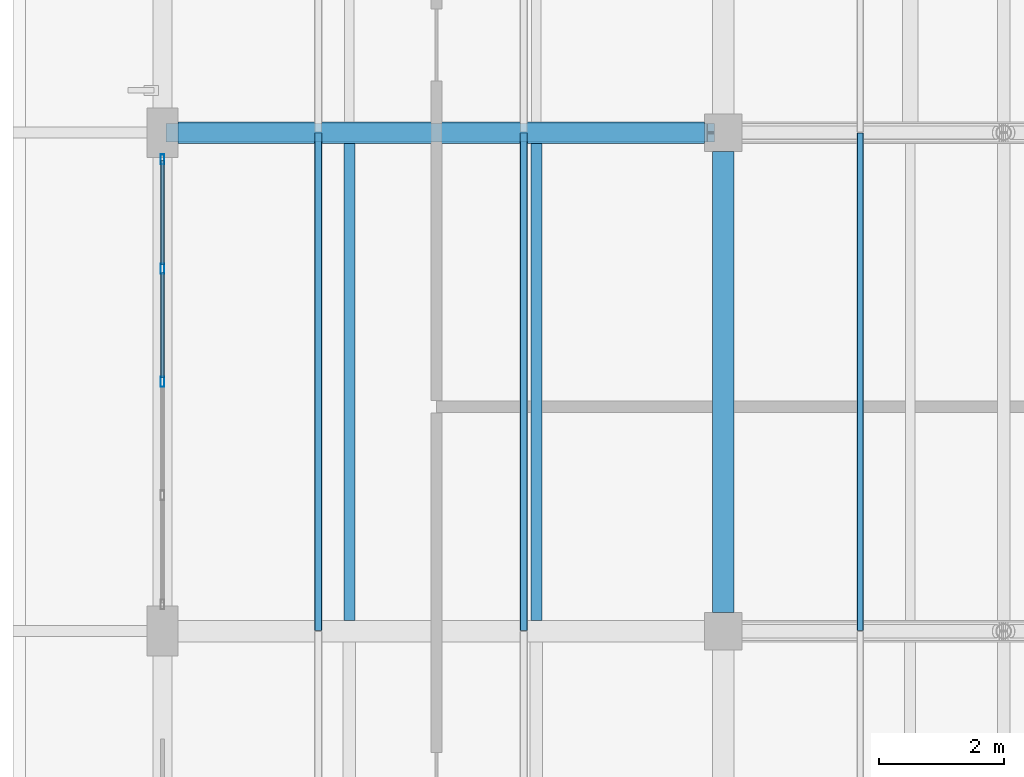
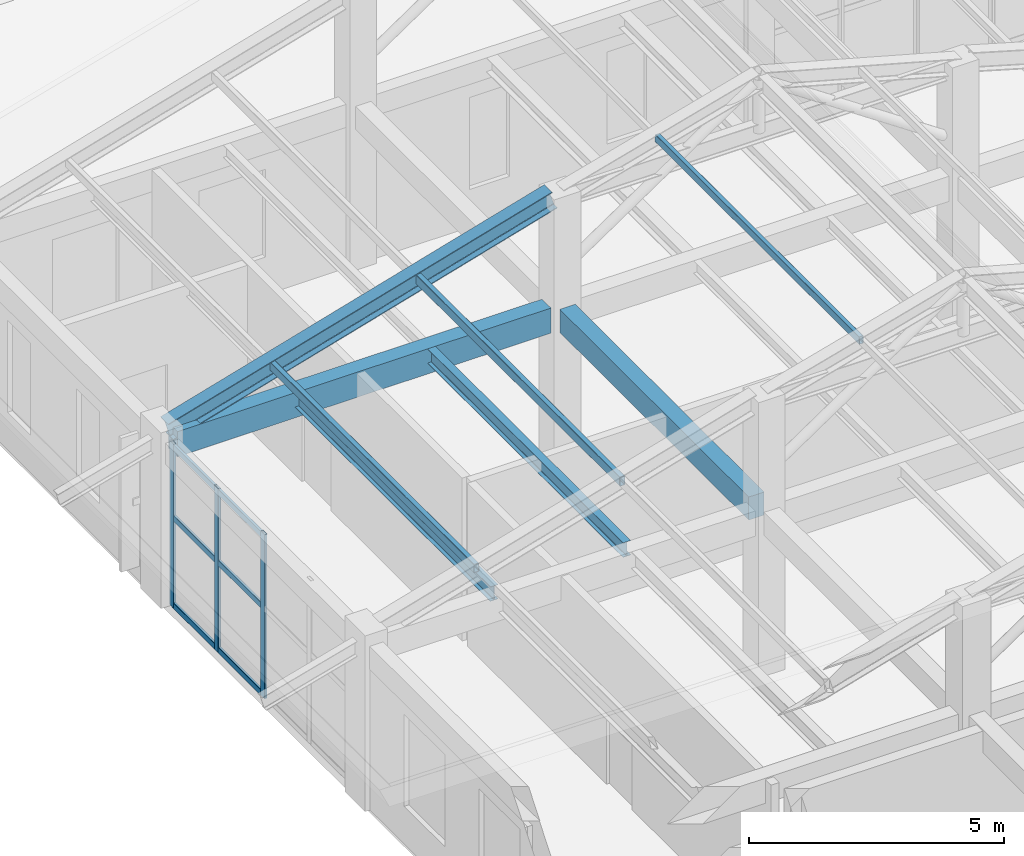
# One storey, part 25 of 58: 12 members, 5 beams, 1 element without a shape of its own.
"""IFC4 building model written with IfcOpenShell, lengths in metres."""

import ifcopenshell
import ifcopenshell.guid

model = None  # the IFC model being written
_history = None  # IfcOwnerHistory: only IFC2X3 demands one
_inside = {}  # id of a spatial element -> (the spatial element, [elements in it])
_under = {}  # id of a project, library or spatial element -> (it, [spatial elements below it])
_declared = {}  # id of a project -> (the project, [libraries it declares])
_typed = {}  # id of a type object -> (the type object, [elements of that type])
_made_of = {}  # id of a material, layer set ... -> (it, [elements and type objects made of it])


def new_model(schema):
    """Start an empty IFC model of exactly this schema.

    Asked for "IFC4X3", IfcOpenShell would pick the latest addendum, in which some entities
    have other attributes; the version numbers below select the first issue.
    IFC2X3 requires an IfcOwnerHistory on every rooted entity: one is made here for all.
    """
    global model, _history
    if schema == "IFC4X3":
        model = ifcopenshell.file(schema_version=(4, 3, 0, 0))
    else:
        model = ifcopenshell.file(schema=schema)
    _inside.clear()
    _under.clear()
    _declared.clear()
    _typed.clear()
    _made_of.clear()
    _history = None
    if model.schema == "IFC2X3":
        org = make("IfcOrganization", Name="unknown")
        user = make(
            "IfcPersonAndOrganization",
            ThePerson=make("IfcPerson", FamilyName="unknown"),
            TheOrganization=org,
        )
        app = make(
            "IfcApplication",
            ApplicationDeveloper=org,
            Version="unknown",
            ApplicationFullName="unknown",
            ApplicationIdentifier="unknown",
        )
        _history = make(
            "IfcOwnerHistory",
            OwningUser=user,
            OwningApplication=app,
            ChangeAction="ADDED",
            CreationDate=0,
        )
    return model


def make(cls, **values):
    """One entity of the class cls with the attributes given. An attribute that is None is left unset."""
    return model.create_entity(
        cls, **{name: value for name, value in values.items() if value is not None}
    )


def rooted(cls, **values):
    """An entity with a GlobalId (a new one), such as an element, a storey or a relation."""
    return make(cls, GlobalId=ifcopenshell.guid.new(), OwnerHistory=_history, **values)


def si_unit(unit_type, name, prefix=None):
    """IfcSIUnit, for example si_unit("LENGTHUNIT", "METRE", prefix="MILLI")."""
    return make("IfcSIUnit", UnitType=unit_type, Prefix=prefix, Name=name)


def derived_unit(unit_type, elements):
    """IfcDerivedUnit: a product of units, each with its exponent."""
    return make(
        "IfcDerivedUnit",
        Elements=[
            make("IfcDerivedUnitElement", Unit=unit, Exponent=power)
            for unit, power in elements
        ],
        UnitType=unit_type,
    )


def assignment(units):
    """IfcUnitAssignment: the units of a project."""
    return None if units is None else make("IfcUnitAssignment", Units=units)


def point(xyz):
    """IfcCartesianPoint."""
    return None if xyz is None else make("IfcCartesianPoint", Coordinates=xyz)


def direction(xyz):
    """IfcDirection."""
    return None if xyz is None else make("IfcDirection", DirectionRatios=xyz)


def frame(location, z_axis=None, x_axis=None):
    """IfcAxis2Placement3D, a coordinate frame: its origin and axes. An axis left out is left unset."""
    return make(
        "IfcAxis2Placement3D",
        Location=point(location),
        Axis=direction(z_axis),
        RefDirection=direction(x_axis),
    )


def frame_2d(location, x_axis=None):
    """IfcAxis2Placement2D, a coordinate frame in the plane: its origin and x axis."""
    return make(
        "IfcAxis2Placement2D", Location=point(location), RefDirection=direction(x_axis)
    )


def origin():
    """The frame at (0, 0, 0) with its axes left unset."""
    return frame((0.0, 0.0, 0.0))


def origin_2d():
    """The frame at (0, 0) in the plane with its x axis left unset."""
    return frame_2d((0.0, 0.0))


def place(relative_to, where):
    """IfcLocalPlacement: puts the frame where relative to a parent placement (None: the world)."""
    return make(
        "IfcLocalPlacement", PlacementRelTo=relative_to, RelativePlacement=where
    )


def context(
    kind, dimensions, precision=None, world=None, true_north=None, identifier=None
):
    """IfcGeometricRepresentationContext, for example the 3D "Model" context."""
    return make(
        "IfcGeometricRepresentationContext",
        ContextIdentifier=identifier,
        ContextType=kind,
        CoordinateSpaceDimension=dimensions,
        Precision=precision,
        WorldCoordinateSystem=world,
        TrueNorth=true_north,
    )


def subcontext(parent, identifier, kind, view, scale=None):
    """IfcGeometricRepresentationSubContext, for example "Body" below "Model"."""
    return make(
        "IfcGeometricRepresentationSubContext",
        ContextIdentifier=identifier,
        ContextType=kind,
        ParentContext=parent,
        TargetScale=scale,
        TargetView=view,
    )


def project(units=None, contexts=None):
    """IfcProject with its units and contexts."""
    return rooted(
        "IfcProject",
        Name="project",
        RepresentationContexts=contexts,
        UnitsInContext=assignment(units),
    )


def spatial(cls, under=None, at=None, **own):
    """A site, building, storey or space (cls), placed at a placement, below another one or the project."""
    s = rooted(cls, ObjectPlacement=at, **own)
    if under is not None:
        _under.setdefault(under.id(), (under, []))[1].append(s)
    return s


def profile(cls, at=None, kind="AREA", **sizes):
    """A parametric profile (cls). Its sizes go by their IFC names, for example OverallWidth=200.0."""
    return make(cls, ProfileType=kind, Position=at, **sizes)


def rectangle(**sizes):
    """IfcRectangleProfileDef."""
    return profile("IfcRectangleProfileDef", **sizes)


def hollow_rectangle(**sizes):
    """IfcRectangleHollowProfileDef."""
    return profile("IfcRectangleHollowProfileDef", **sizes)


def i_section(**sizes):
    """IfcIShapeProfileDef."""
    return profile("IfcIShapeProfileDef", **sizes)


def extrude(swept, where, along, depth):
    """IfcExtrudedAreaSolid: the profile swept, set in the frame where, extruded along a direction by depth."""
    return make(
        "IfcExtrudedAreaSolid",
        SweptArea=swept,
        Position=where,
        ExtrudedDirection=direction(along),
        Depth=depth,
    )


def shape(context_of_items, identifier, shape_type, items):
    """IfcShapeRepresentation: the items that make up one representation, for example the "Body"."""
    return make(
        "IfcShapeRepresentation",
        ContextOfItems=context_of_items,
        RepresentationIdentifier=identifier,
        RepresentationType=shape_type,
        Items=items,
    )


def material(Name=None, Category=None):
    """IfcMaterial."""
    return make("IfcMaterial", Name=Name, Category=Category)


def material_profile(
    of_material, cross_section, Name=None, Category=None, Priority=None
):
    """IfcMaterialProfile: a cross section and its material."""
    return make(
        "IfcMaterialProfile",
        Name=Name,
        Material=of_material,
        Profile=cross_section,
        Priority=Priority,
        Category=Category,
    )


def profile_set(profiles, Name=None, composite=None):
    """IfcMaterialProfileSet."""
    return make(
        "IfcMaterialProfileSet",
        Name=Name,
        MaterialProfiles=profiles,
        CompositeProfile=composite,
    )


def made_of(thing, what):
    """Note that an element or type object is made of a material, layer set ...; save() writes the relation."""
    if what is not None:
        _made_of.setdefault(what.id(), (what, []))[1].append(thing)
    return thing


def type_object(cls, material=None, **own):
    """A type object (cls), such as IfcWallType, which elements share."""
    return made_of(rooted(cls, **own), material)


def element(
    cls,
    number,
    at=None,
    inside=None,
    cuts=None,
    type_object=None,
    material=None,
    context=None,
    identifier="Body",
    shape_type=None,
    held_by="IfcProductDefinitionShape",
    body=None,
    shapes=None,
    **own,
):
    """One element of the class cls, such as IfcWall. Its Tag is "e" and its number.

    at: its placement. inside: the storey or other place that contains it. cuts: it is an
    opening in that element (IfcRelVoidsElement). A single representation is given by context,
    identifier, shape_type and body (its items); several are given by shapes. held_by: the class
    of the entity that holds the representations. save() writes the other relations.
    """
    e = rooted(cls, Tag="e%d" % number, ObjectPlacement=at, **own)
    if body is not None:
        shapes = [shape(context, identifier, shape_type, body)]
    if shapes is not None:
        e.Representation = make(held_by, Representations=shapes)
    if inside is not None:
        _inside.setdefault(inside.id(), (inside, []))[1].append(e)
    if cuts is not None:
        rooted(
            "IfcRelVoidsElement", RelatingBuildingElement=cuts, RelatedOpeningElement=e
        )
    if type_object is not None:
        _typed.setdefault(type_object.id(), (type_object, []))[1].append(e)
    return made_of(e, material)


def aggregate(whole, parts):
    """IfcRelAggregates: a whole, such as a stair, and the parts it consists of."""
    return rooted("IfcRelAggregates", RelatingObject=whole, RelatedObjects=parts)


def save(model, path):
    """Write the relations noted so far, then the file.

    IfcRelAggregates (storeys below a building ...), IfcRelContainedInSpatialStructure (elements
    in a storey), IfcRelDefinesByType, IfcRelAssociatesMaterial and IfcRelDeclares: one each for
    every whole, place, type object, material and project.
    """
    for whole, parts in _under.values():
        aggregate(whole, parts)
    for where, things in _inside.values():
        rooted(
            "IfcRelContainedInSpatialStructure",
            RelatedElements=things,
            RelatingStructure=where,
        )
    for kind, things in _typed.values():
        rooted("IfcRelDefinesByType", RelatedObjects=things, RelatingType=kind)
    for what, things in _made_of.values():
        rooted("IfcRelAssociatesMaterial", RelatedObjects=things, RelatingMaterial=what)
    for by, libraries in _declared.values():
        rooted("IfcRelDeclares", RelatingContext=by, RelatedDefinitions=libraries)
    model.write(path)


model = new_model("IFC4")

# Units and contexts
model_context = context("Model", 3, precision=1e-05, world=origin(), true_north=direction((0.0, 1.0)))
body_context = subcontext(model_context, "Body", "Model", "MODEL_VIEW")
ifc_project = project(units=[si_unit("LENGTHUNIT", "METRE"), si_unit("AREAUNIT", "SQUARE_METRE"), si_unit("VOLUMEUNIT", "CUBIC_METRE"), si_unit("PLANEANGLEUNIT", "RADIAN"), si_unit("MASSUNIT", "GRAM", prefix="KILO"), derived_unit("THERMALTRANSMITTANCEUNIT", [(si_unit("MASSUNIT", "GRAM", prefix="KILO"), 1), (si_unit("TIMEUNIT", "SECOND"), -3), (si_unit("THERMODYNAMICTEMPERATUREUNIT", "KELVIN"), -1)])], contexts=[model_context])

# Site, building, storey
site_placement = place(None, origin())
site = spatial("IfcSite", under=ifc_project, at=site_placement, CompositionType="ELEMENT")
building_placement = place(site_placement, origin())
building = spatial("IfcBuilding", under=site, at=building_placement, Name="Zhenchuan Archway Interchange", CompositionType="ELEMENT")
storey_placement = place(building_placement, frame((0.0, 0.0, 22.800048828125)))
storey = spatial("IfcBuildingStorey", under=building, at=storey_placement, Name="L05", CompositionType="ELEMENT", Elevation=22.800048828125)

# Beams
ifc_material_1 = material(Name="Concrete C40", Category="concrete")
ifc_material_profile_1 = material_profile(ifc_material_1, rectangle(XDim=0.35009765625, YDim=0.550048828125, at=origin_2d()), Name="RC 350x550")
ifc_profile_set_1 = profile_set([ifc_material_profile_1], Name="Concrete C40")
beam_type_1 = type_object("IfcBeamType", Name="BM_RC_350x550", PredefinedType="BEAM", material=ifc_profile_set_1)
beam_1_placement = place(storey_placement, frame((153.0, 72.300048828125, 3.64501953125), z_axis=(0.0, 1.0, 0.0), x_axis=(-1.0, 0.0, 0.0)))
element("IfcBeam", 1, at=beam_1_placement, inside=storey, type_object=beam_type_1, Name="Beam 18:K-L (L05)", PredefinedType="BEAM", context=body_context, shape_type="SweptSolid", body=[
    extrude(rectangle(XDim=0.35009765625, YDim=0.550048828125, at=origin_2d()), origin(), (0.0, 0.0, 1.0), 7.39990234375),
])
ifc_material_profile_2 = material_profile(ifc_material_1, rectangle(XDim=0.35009765625, YDim=0.60009765625, at=origin_2d()), Name="RC 350x600")
ifc_profile_set_2 = profile_set([ifc_material_profile_2], Name="Concrete C40")
beam_type_2 = type_object("IfcBeamType", Name="BM_RC_350x600", PredefinedType="BEAM", material=ifc_profile_set_2)
beam_2_placement = place(storey_placement, frame((144.25, 80.0, 3.619873046875), z_axis=(1.0, 0.0, 0.0), x_axis=(0.0, 1.0, 0.0)))
element("IfcBeam", 2, at=beam_2_placement, inside=storey, type_object=beam_type_2, Name="Beam L:17-18 (L05)", PredefinedType="BEAM", context=body_context, shape_type="SweptSolid", body=[
    extrude(rectangle(XDim=0.35009765625, YDim=0.60009765625, at=origin_2d()), origin(), (0.0, 0.0, 1.0), 8.449951171875),
])
ifc_material_2 = material(Name="Steel Q355", Category="steel")
ifc_material_profile_3 = material_profile(ifc_material_2, i_section(OverallWidth=0.300048828125, OverallDepth=0.43994140625, WebThickness=0.010986328125, FlangeThickness=0.01806640625, FilletRadius=0.02197265625, at=origin_2d()), Name="HM 440x300")
ifc_profile_set_3 = profile_set([ifc_material_profile_3], Name="Steel Q355")
beam_type_3 = type_object("IfcBeamType", Name="BM_STL_HM440", PredefinedType="BEAM", material=ifc_profile_set_3)
beam_3_placement = place(storey_placement, frame((144.1201171875, 80.0, 3.93994140625), z_axis=(0.960641143949, 0.0, 0.277792355102), x_axis=(0.0, 1.0, 0.0)))
element("IfcBeam", 3, at=beam_3_placement, inside=storey, type_object=beam_type_3, Name="ROOF TRUSS command wing T8 west lower rafter", PredefinedType="BEAM", context=body_context, shape_type="SweptSolid", body=[
    extrude(i_section(OverallWidth=0.300048828125, OverallDepth=0.43994140625, WebThickness=0.010986328125, FlangeThickness=0.01806640625, FilletRadius=0.02197265625, at=origin_2d()), origin(), (0.0, 0.0, 1.0), 9.03564453125),
])

# Curtain wall, members
ifc_material_3 = material(Name="Anodised Aluminium", Category="aluminium")
curtain_wall_type = type_object("IfcCurtainWallType", Name="CW_UNIT_1", PredefinedType="NOTDEFINED", material=ifc_material_3)
curtain_wall_placement = place(storey_placement, origin())
curtain_wall = element("IfcCurtainWall", 4, at=curtain_wall_placement, inside=storey, type_object=curtain_wall_type, Name="Unitised curtain wall CW:L05:204", PredefinedType="NOTDEFINED")
ifc_material_profile_4 = material_profile(ifc_material_3, hollow_rectangle(XDim=0.06005859375, YDim=0.159912109375, WallThickness=0.00390625, InnerFilletRadius=0.00390625, OuterFilletRadius=0.008056640625, at=origin_2d()), Name="ALU 160x60x4")
ifc_profile_set_4 = profile_set([ifc_material_profile_4], Name="Anodised Aluminium")
member_type_1 = type_object("IfcMemberType", Name="CW_MUL_150", PredefinedType="MULLION", material=ifc_profile_set_4)
member_1_placement = place(storey_placement, frame((144.0, 76.0, 0.0), z_axis=(0.0, 0.0, 1.0), x_axis=(1.0, 0.0, 0.0)))
member_1 = element("IfcMember", 5, at=member_1_placement, type_object=member_type_1, Name="CW:L05:204 mullion 2", PredefinedType="MULLION", context=body_context, shape_type="SweptSolid", body=[
    extrude(hollow_rectangle(XDim=0.06005859375, YDim=0.159912109375, WallThickness=0.00390625, InnerFilletRadius=0.00390625, OuterFilletRadius=0.008056640625, at=origin_2d()), origin(), (0.0, 0.0, 1.0), 3.919921875),
])
member_2_placement = place(storey_placement, frame((144.0, 77.81591796875, 0.0), z_axis=(0.0, 0.0, 1.0), x_axis=(1.0, 0.0, 0.0)))
member_2 = element("IfcMember", 6, at=member_2_placement, type_object=member_type_1, Name="CW:L05:204 mullion 3", PredefinedType="MULLION", context=body_context, shape_type="SweptSolid", body=[
    extrude(hollow_rectangle(XDim=0.06005859375, YDim=0.159912109375, WallThickness=0.00390625, InnerFilletRadius=0.00390625, OuterFilletRadius=0.008056640625, at=origin_2d()), origin(), (0.0, 0.0, 1.0), 3.919921875),
])
member_3_placement = place(storey_placement, frame((144.0, 79.572021484375, 0.0), z_axis=(0.0, 0.0, 1.0), x_axis=(1.0, 0.0, 0.0)))
member_3 = element("IfcMember", 7, at=member_3_placement, type_object=member_type_1, Name="CW:L05:204 mullion 4", PredefinedType="MULLION", context=body_context, shape_type="SweptSolid", body=[
    extrude(hollow_rectangle(XDim=0.06005859375, YDim=0.159912109375, WallThickness=0.00390625, InnerFilletRadius=0.00390625, OuterFilletRadius=0.008056640625, at=origin_2d()), origin(), (0.0, 0.0, 1.0), 3.919921875),
])
ifc_material_profile_5 = material_profile(ifc_material_3, hollow_rectangle(XDim=0.06005859375, YDim=0.139892578125, WallThickness=0.00341796875, InnerFilletRadius=0.00341796875, OuterFilletRadius=0.007080078125, at=origin_2d()), Name="ALU 140x60x3.5")
ifc_profile_set_5 = profile_set([ifc_material_profile_5], Name="Anodised Aluminium")
member_type_2 = type_object("IfcMemberType", Name="CW_TRN_140", PredefinedType="USERDEFINED", material=ifc_profile_set_5)
member_4_placement = place(storey_placement, frame((144.0, 76.06005859375, 0.06005859375), z_axis=(0.0, 1.0, 0.0), x_axis=(-1.0, 0.0, 0.0)))
member_4 = element("IfcMember", 8, at=member_4_placement, type_object=member_type_2, Name="CW:L05:204 transom 2-1", ObjectType="TRANSOM", PredefinedType="USERDEFINED", context=body_context, shape_type="SweptSolid", body=[
    extrude(hollow_rectangle(XDim=0.06005859375, YDim=0.139892578125, WallThickness=0.00341796875, InnerFilletRadius=0.00341796875, OuterFilletRadius=0.007080078125, at=origin_2d()), origin(), (0.0, 0.0, 1.0), 1.696044921875),
])
member_5_placement = place(storey_placement, frame((144.0, 76.06005859375, 2.14501953125), z_axis=(0.0, 1.0, 0.0), x_axis=(-1.0, 0.0, 0.0)))
member_5 = element("IfcMember", 9, at=member_5_placement, type_object=member_type_2, Name="CW:L05:204 transom 2-2", ObjectType="TRANSOM", PredefinedType="USERDEFINED", context=body_context, shape_type="SweptSolid", body=[
    extrude(hollow_rectangle(XDim=0.06005859375, YDim=0.139892578125, WallThickness=0.00341796875, InnerFilletRadius=0.00341796875, OuterFilletRadius=0.007080078125, at=origin_2d()), origin(), (0.0, 0.0, 1.0), 1.696044921875),
])
member_6_placement = place(storey_placement, frame((144.0, 76.06005859375, 3.83984375), z_axis=(0.0, 1.0, 0.0), x_axis=(-1.0, 0.0, 0.0)))
member_6 = element("IfcMember", 10, at=member_6_placement, type_object=member_type_2, Name="CW:L05:204 transom 2-3", ObjectType="TRANSOM", PredefinedType="USERDEFINED", context=body_context, shape_type="SweptSolid", body=[
    extrude(hollow_rectangle(XDim=0.06005859375, YDim=0.139892578125, WallThickness=0.00341796875, InnerFilletRadius=0.00341796875, OuterFilletRadius=0.007080078125, at=origin_2d()), origin(), (0.0, 0.0, 1.0), 1.696044921875),
])
member_7_placement = place(storey_placement, frame((144.0, 77.8759765625, 0.06005859375), z_axis=(0.0, 1.0, 0.0), x_axis=(-1.0, 0.0, 0.0)))
member_7 = element("IfcMember", 11, at=member_7_placement, type_object=member_type_2, Name="CW:L05:204 transom 3-1", ObjectType="TRANSOM", PredefinedType="USERDEFINED", context=body_context, shape_type="SweptSolid", body=[
    extrude(hollow_rectangle(XDim=0.06005859375, YDim=0.139892578125, WallThickness=0.00341796875, InnerFilletRadius=0.00341796875, OuterFilletRadius=0.007080078125, at=origin_2d()), origin(), (0.0, 0.0, 1.0), 1.676025390625),
])
member_8_placement = place(storey_placement, frame((144.0, 77.8759765625, 2.14501953125), z_axis=(0.0, 1.0, 0.0), x_axis=(-1.0, 0.0, 0.0)))
member_8 = element("IfcMember", 12, at=member_8_placement, type_object=member_type_2, Name="CW:L05:204 transom 3-2", ObjectType="TRANSOM", PredefinedType="USERDEFINED", context=body_context, shape_type="SweptSolid", body=[
    extrude(hollow_rectangle(XDim=0.06005859375, YDim=0.139892578125, WallThickness=0.00341796875, InnerFilletRadius=0.00341796875, OuterFilletRadius=0.007080078125, at=origin_2d()), origin(), (0.0, 0.0, 1.0), 1.676025390625),
])
member_9_placement = place(storey_placement, frame((144.0, 77.8759765625, 3.83984375), z_axis=(0.0, 1.0, 0.0), x_axis=(-1.0, 0.0, 0.0)))
member_9 = element("IfcMember", 13, at=member_9_placement, type_object=member_type_2, Name="CW:L05:204 transom 3-3", ObjectType="TRANSOM", PredefinedType="USERDEFINED", context=body_context, shape_type="SweptSolid", body=[
    extrude(hollow_rectangle(XDim=0.06005859375, YDim=0.139892578125, WallThickness=0.00341796875, InnerFilletRadius=0.00341796875, OuterFilletRadius=0.007080078125, at=origin_2d()), origin(), (0.0, 0.0, 1.0), 1.676025390625),
])
aggregate(curtain_wall, [member_1, member_2, member_3, member_4, member_5, member_6, member_7, member_8, member_9])

# Beams
ifc_material_profile_6 = material_profile(ifc_material_2, i_section(OverallWidth=0.175048828125, OverallDepth=0.35009765625, WebThickness=0.007080078125, FlangeThickness=0.010986328125, FilletRadius=0.013916015625, at=origin_2d()), Name="HN 350x175")
ifc_profile_set_6 = profile_set([ifc_material_profile_6], Name="Steel Q355")
beam_type_4 = type_object("IfcBeamType", Name="JST_STL_HN350", PredefinedType="JOIST", material=ifc_profile_set_6)
for number, where, z_axis, x_axis, name in (
    (14, (147.0, 72.175048828125, 3.744873046875), (0.0, 1.0, 0.0), (-1.0, 0.0, 0.0), "Secondary joist 17-18/K-L #1 (L05)"),
    (15, (150.0, 72.175048828125, 3.744873046875), (0.0, 1.0, 0.0), (-1.0, 0.0, 0.0), "Secondary joist 17-18/K-L #2 (L05)"),
):
    element("IfcBeam", number, at=place(storey_placement, frame(where, z_axis=z_axis, x_axis=x_axis)), inside=storey, type_object=beam_type_4, Name=name, PredefinedType="JOIST", context=body_context, shape_type="SweptSolid", body=[
        extrude(i_section(OverallWidth=0.175048828125, OverallDepth=0.35009765625, WebThickness=0.007080078125, FlangeThickness=0.010986328125, FilletRadius=0.013916015625, at=origin_2d()), origin(), (0.0, 0.0, 1.0), 7.64990234375),
    ])

# Members
ifc_material_profile_7 = material_profile(ifc_material_2, hollow_rectangle(XDim=0.10009765625, YDim=0.179931640625, WallThickness=0.006103515625, InnerFilletRadius=0.006103515625, OuterFilletRadius=0.011962890625, at=origin_2d()), Name="RHS 180x100x6")
ifc_profile_set_7 = profile_set([ifc_material_profile_7], Name="Steel Q355")
member_type_3 = type_object("IfcMemberType", Name="MB_RHS180", PredefinedType="PURLIN", material=ifc_profile_set_7)
member_10_placement = place(storey_placement, frame((155.199951171875, 72.008056640625, 7.02001953125), z_axis=(0.0, 1.0, 0.0), x_axis=(-1.0, 0.0, 0.0)))
element("IfcMember", 16, at=member_10_placement, inside=storey, type_object=member_type_3, Name="Command wing roof purlin B7-P3", PredefinedType="PURLIN", context=body_context, shape_type="SweptSolid", body=[
    extrude(hollow_rectangle(XDim=0.10009765625, YDim=0.179931640625, WallThickness=0.006103515625, InnerFilletRadius=0.006103515625, OuterFilletRadius=0.011962890625, at=origin_2d()), origin(), (0.0, 0.0, 1.0), 7.98388671875),
])
ifc_material_profile_8 = material_profile(ifc_material_2, hollow_rectangle(XDim=0.1201171875, YDim=0.199951171875, WallThickness=0.008056640625, InnerFilletRadius=0.008056640625, OuterFilletRadius=0.01611328125, at=origin_2d()), Name="RHS 200x120x8")
ifc_profile_set_8 = profile_set([ifc_material_profile_8], Name="Steel Q355")
member_type_4 = type_object("IfcMemberType", Name="MB_RHS200", PredefinedType="PURLIN", material=ifc_profile_set_8)
member_11_placement = place(storey_placement, frame((146.5, 72.008056640625, 4.619873046875), z_axis=(0.0, 1.0, 0.0), x_axis=(-1.0, 0.0, 0.0)))
element("IfcMember", 17, at=member_11_placement, inside=storey, type_object=member_type_4, Name="Command wing roof purlin B7-P1", PredefinedType="PURLIN", context=body_context, shape_type="SweptSolid", body=[
    extrude(hollow_rectangle(XDim=0.1201171875, YDim=0.199951171875, WallThickness=0.008056640625, InnerFilletRadius=0.008056640625, OuterFilletRadius=0.01611328125, at=origin_2d()), origin(), (0.0, 0.0, 1.0), 7.98388671875),
])
ifc_material_profile_9 = material_profile(ifc_material_2, hollow_rectangle(XDim=0.1201171875, YDim=0.219970703125, WallThickness=0.008056640625, InnerFilletRadius=0.008056640625, OuterFilletRadius=0.01611328125, at=origin_2d()), Name="RHS 220x120x8")
ifc_profile_set_9 = profile_set([ifc_material_profile_9], Name="Steel Q355")
member_type_5 = type_object("IfcMemberType", Name="MB_RHS220", PredefinedType="PURLIN", material=ifc_profile_set_9)
member_12_placement = place(storey_placement, frame((149.800048828125, 72.008056640625, 5.5400390625), z_axis=(0.0, 1.0, 0.0), x_axis=(-1.0, 0.0, 0.0)))
element("IfcMember", 18, at=member_12_placement, inside=storey, type_object=member_type_5, Name="Command wing roof purlin B7-P2", PredefinedType="PURLIN", context=body_context, shape_type="SweptSolid", body=[
    extrude(hollow_rectangle(XDim=0.1201171875, YDim=0.219970703125, WallThickness=0.008056640625, InnerFilletRadius=0.008056640625, OuterFilletRadius=0.01611328125, at=origin_2d()), origin(), (0.0, 0.0, 1.0), 7.98388671875),
])

save(model, "model.ifc")
